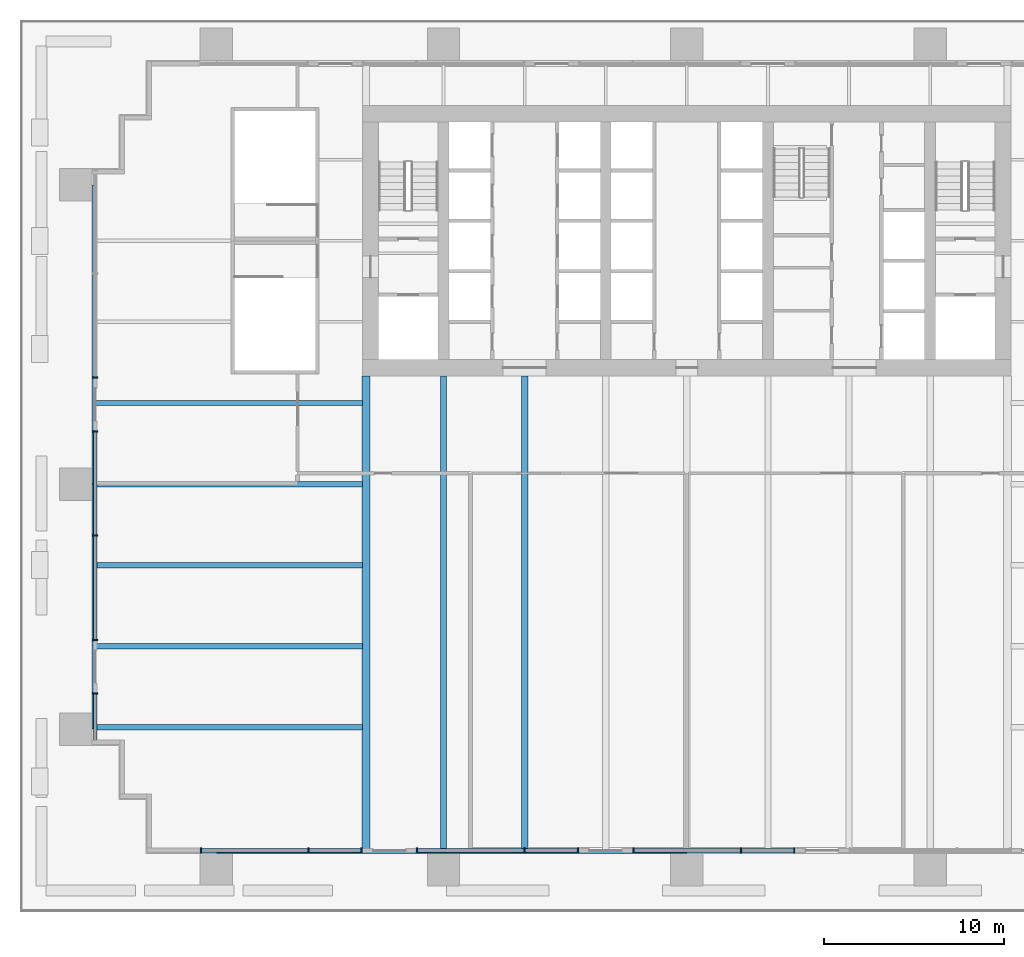
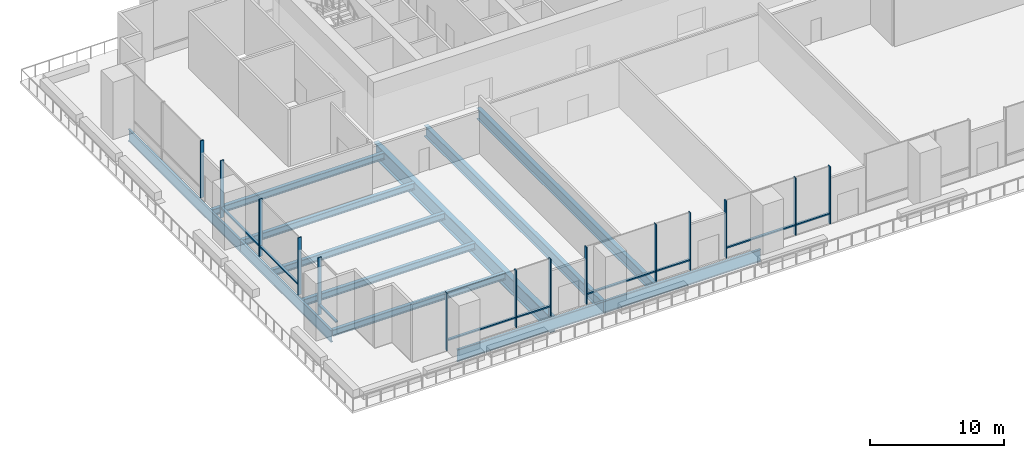
# One storey, part 2 of 16: 23 members, 12 beams, 6 elements without a shape of their own.
"""IFC4 building model written with IfcOpenShell, lengths in metres."""

from ifc_helpers import new_model, si_unit, direction, frame, origin, origin_2d, place, context, subcontext, project, spatial, rectangle, i_section, extrude, material, layer, layer_set, material_profile, profile_set, type_object, element, aggregate, save


model = new_model("IFC4")

# Units and contexts
model_context = context("Model", 3, precision=1e-05, world=origin(), true_north=direction((0.0, 1.0)))
body_context = subcontext(model_context, "Body", "Model", "MODEL_VIEW")
ifc_project = project(units=[si_unit("LENGTHUNIT", "METRE"), si_unit("AREAUNIT", "SQUARE_METRE"), si_unit("VOLUMEUNIT", "CUBIC_METRE"), si_unit("PLANEANGLEUNIT", "RADIAN"), si_unit("MASSUNIT", "GRAM", prefix="KILO")], contexts=[model_context])

# Site, building, storey
site_placement = place(None, origin())
site = spatial("IfcSite", under=ifc_project, at=site_placement, CompositionType="ELEMENT")
building_placement = place(site_placement, origin())
building = spatial("IfcBuilding", under=site, at=building_placement, Name="Rattan Terrace Tower", CompositionType="ELEMENT")
storey_placement = place(building_placement, frame((0.0, 0.0, 27.0)))
storey = spatial("IfcBuildingStorey", under=building, at=storey_placement, Name="L05", CompositionType="ELEMENT", Elevation=27.0)

# Beams
ifc_material_1 = material(Name="Steel S460", Category="steel")
ifc_material_profile_1 = material_profile(ifc_material_1, i_section(OverallWidth=0.449951171875, OverallDepth=1.39990234375, WebThickness=0.02197265625, FlangeThickness=0.054931640625, at=origin_2d()), Name="PG 1400x450-22-55")
ifc_profile_set_1 = profile_set([ifc_material_profile_1], Name="Steel S460")
beam_type_1 = type_object("IfcBeamType", Name="Frame core girder PG 1400x450-22-55", PredefinedType="BEAM", material=ifc_profile_set_1)
beam_1_placement = place(storey_placement, frame((-17.800048828125, -33.820068359375, -0.89990234375), z_axis=(0.0, 1.0, 0.0), x_axis=(-1.0, 0.0, 0.0)))
element("IfcBeam", 1, at=beam_1_placement, inside=storey, type_object=beam_type_1, Name="gdr-L05-013", PredefinedType="BEAM", context=body_context, shape_type="SweptSolid", body=[
    extrude(i_section(OverallWidth=0.449951171875, OverallDepth=1.39990234375, WebThickness=0.02197265625, FlangeThickness=0.054931640625, at=origin_2d()), origin(), (0.0, 0.0, 1.0), 26.320068359375),
])
ifc_material_2 = material(Name="Steel S460", Category="steel")
ifc_material_profile_2 = material_profile(ifc_material_2, i_section(OverallWidth=0.179931640625, OverallDepth=1.10009765625, WebThickness=0.01611328125, FlangeThickness=0.050048828125, at=origin_2d()), Name="PG 1100x180-16-50")
ifc_profile_set_2 = profile_set([ifc_material_profile_2], Name="Steel S460")
beam_type_2 = type_object("IfcBeamType", Name="Frame edge girder PG 1100x180-16-50", PredefinedType="SPANDREL", material=ifc_profile_set_2)
beam_2_placement = place(storey_placement, frame((-26.10009765625, -33.909912109375, -0.75), z_axis=(1.0, 0.0, 0.0), x_axis=(0.0, 1.0, 0.0)))
element("IfcBeam", 2, at=beam_2_placement, inside=storey, type_object=beam_type_2, Name="gdr-L05-001", PredefinedType="SPANDREL", context=body_context, shape_type="SweptSolid", body=[
    extrude(i_section(OverallWidth=0.179931640625, OverallDepth=1.10009765625, WebThickness=0.01611328125, FlangeThickness=0.050048828125, at=origin_2d()), origin(), (0.0, 0.0, 1.0), 12.60009765625),
])
beam_3_placement = place(storey_placement, frame((-13.5, -33.909912109375, -0.75), z_axis=(1.0, 0.0, 0.0), x_axis=(0.0, 1.0, 0.0)))
element("IfcBeam", 3, at=beam_3_placement, inside=storey, type_object=beam_type_2, Name="gdr-L05-002", PredefinedType="SPANDREL", context=body_context, shape_type="SweptSolid", body=[
    extrude(i_section(OverallWidth=0.179931640625, OverallDepth=1.10009765625, WebThickness=0.01611328125, FlangeThickness=0.050048828125, at=origin_2d()), origin(), (0.0, 0.0, 1.0), 13.5),
])
beam_4_placement = place(storey_placement, frame((-32.909912109375, -13.5, -0.75), z_axis=(0.0, -1.0, 0.0), x_axis=(1.0, 0.0, 0.0)))
element("IfcBeam", 4, at=beam_4_placement, inside=storey, type_object=beam_type_2, Name="gdr-L05-006", PredefinedType="SPANDREL", context=body_context, shape_type="SweptSolid", body=[
    extrude(i_section(OverallWidth=0.179931640625, OverallDepth=1.10009765625, WebThickness=0.01611328125, FlangeThickness=0.050048828125, at=origin_2d()), origin(), (0.0, 0.0, 1.0), 13.60009765625),
])
beam_5_placement = place(storey_placement, frame((-32.909912109375, 3.10009765625, -0.75), z_axis=(0.0, -1.0, 0.0), x_axis=(1.0, 0.0, 0.0)))
element("IfcBeam", 5, at=beam_5_placement, inside=storey, type_object=beam_type_2, Name="gdr-L05-008", PredefinedType="SPANDREL", context=body_context, shape_type="SweptSolid", body=[
    extrude(i_section(OverallWidth=0.179931640625, OverallDepth=1.10009765625, WebThickness=0.01611328125, FlangeThickness=0.050048828125, at=origin_2d()), origin(), (0.0, 0.0, 1.0), 16.60009765625),
])
ifc_material_3 = material(Name="Steel S355", Category="steel")
ifc_material_profile_3 = material_profile(ifc_material_3, i_section(OverallWidth=0.300048828125, OverallDepth=0.60009765625, WebThickness=0.015380859375, FlangeThickness=0.030029296875, FilletRadius=0.027099609375, at=origin_2d()), Name="HE 600 B")
ifc_profile_set_3 = profile_set([ifc_material_profile_3], Name="Steel S355")
beam_type_3 = type_object("IfcBeamType", Name="Frame floor beam HE 600 B", PredefinedType="JOIST", material=ifc_profile_set_3)
for number, where, z_axis, x_axis, name in (
    (6, (-32.820068359375, -27.0, -0.5), (1.0, 0.0, 0.0), (0.0, 1.0, 0.0), "bm-L05-010"),
    (7, (-32.820068359375, -22.5, -0.5), (1.0, 0.0, 0.0), (0.0, 1.0, 0.0), "bm-L05-012"),
    (8, (-32.820068359375, -18.0, -0.5), (1.0, 0.0, 0.0), (0.0, 1.0, 0.0), "bm-L05-014"),
    (9, (-32.820068359375, -13.5, -0.5), (1.0, 0.0, 0.0), (0.0, 1.0, 0.0), "bm-L05-016"),
    (10, (-32.820068359375, -9.0, -0.5), (1.0, 0.0, 0.0), (0.0, 1.0, 0.0), "bm-L05-018"),
):
    element("IfcBeam", number, at=place(storey_placement, frame(where, z_axis=z_axis, x_axis=x_axis)), inside=storey, type_object=beam_type_3, Name=name, PredefinedType="JOIST", context=body_context, shape_type="SweptSolid", body=[
        extrude(i_section(OverallWidth=0.300048828125, OverallDepth=0.60009765625, WebThickness=0.015380859375, FlangeThickness=0.030029296875, FilletRadius=0.027099609375, at=origin_2d()), origin(), (0.0, 0.0, 1.0), 14.820068359375),
    ])
ifc_material_4 = material(Name="Steel S460", Category="steel")
ifc_material_profile_4 = material_profile(ifc_material_4, i_section(OverallWidth=0.35009765625, OverallDepth=1.0, WebThickness=0.01611328125, FlangeThickness=0.044921875, at=origin_2d()), Name="PG 1000x350-16-45")
ifc_profile_set_4 = profile_set([ifc_material_profile_4], Name="Steel S460")
beam_type_4 = type_object("IfcBeamType", Name="Frame floor beam PG 1000x350-16-45", PredefinedType="JOIST", material=ifc_profile_set_4)
for number, where, z_axis, x_axis, name in (
    (11, (-13.5, -33.820068359375, -0.699951171875), (0.0, 1.0, 0.0), (-1.0, 0.0, 0.0), "bm-L05-003"),
    (12, (-9.0, -33.820068359375, -0.699951171875), (0.0, 1.0, 0.0), (-1.0, 0.0, 0.0), "bm-L05-004"),
):
    element("IfcBeam", number, at=place(storey_placement, frame(where, z_axis=z_axis, x_axis=x_axis)), inside=storey, type_object=beam_type_4, Name=name, PredefinedType="JOIST", context=body_context, shape_type="SweptSolid", body=[
        extrude(i_section(OverallWidth=0.35009765625, OverallDepth=1.0, WebThickness=0.01611328125, FlangeThickness=0.044921875, at=origin_2d()), origin(), (0.0, 0.0, 1.0), 26.320068359375),
    ])

# Curtain wall, member
ifc_material_5 = material(Name="Steel fins, aluminium and glass", Category="steel")
ifc_layer = layer(ifc_material_5, 0.300048828125)
ifc_layer_set = layer_set([ifc_layer], Name="Sky Lobby Stick Curtain Wall")
curtain_wall_type = type_object("IfcCurtainWallType", Name="Sky Lobby Stick Curtain Wall", PredefinedType="NOTDEFINED", material=ifc_layer_set)
curtain_wall_1_placement = place(storey_placement, origin())
curtain_wall_1 = element("IfcCurtainWall", 13, at=curtain_wall_1_placement, inside=storey, type_object=curtain_wall_type, Name="Sky lobby curtain wall L05-9", PredefinedType="NOTDEFINED")
ifc_material_6 = material(Name="Steel S355", Category="steel")
ifc_material_profile_5 = material_profile(ifc_material_6, rectangle(XDim=0.080078125, YDim=0.300048828125, at=origin_2d()), Name="Steel S355 80x300")
ifc_profile_set_5 = profile_set([ifc_material_profile_5], Name="Steel S355")
member_type_1 = type_object("IfcMemberType", Name="Sky Lobby CW Fin 80x300", PredefinedType="MULLION", material=ifc_profile_set_5)
member_1_placement = place(storey_placement, frame((-32.830078125, -7.595947265625, 0.0), z_axis=(0.0, 0.0, 1.0), x_axis=(0.0, -1.0, 0.0)))
member_1 = element("IfcMember", 14, at=member_1_placement, type_object=member_type_1, Name="Mullion cwl-L05-009.3", PredefinedType="MULLION", context=body_context, shape_type="SweptSolid", body=[
    extrude(rectangle(XDim=0.080078125, YDim=0.300048828125, at=origin_2d()), origin(), (0.0, 0.0, 1.0), 5.199951171875),
])
aggregate(curtain_wall_1, [member_1])

# Curtain wall, members
curtain_wall_2_placement = place(storey_placement, origin())
curtain_wall_2 = element("IfcCurtainWall", 15, at=curtain_wall_2_placement, inside=storey, type_object=curtain_wall_type, Name="Sky lobby curtain wall L05-10", PredefinedType="NOTDEFINED")
member_2_placement = place(storey_placement, frame((-32.830078125, -10.5849609375, 0.0), z_axis=(0.0, 0.0, 1.0), x_axis=(0.0, -1.0, 0.0)))
member_2 = element("IfcMember", 16, at=member_2_placement, type_object=member_type_1, Name="Mullion cwl-L05-010.1", PredefinedType="MULLION", context=body_context, shape_type="SweptSolid", body=[
    extrude(rectangle(XDim=0.080078125, YDim=0.300048828125, at=origin_2d()), origin(), (0.0, 0.0, 1.0), 5.199951171875),
])
member_3_placement = place(storey_placement, frame((-32.830078125, -16.363037109375, 0.0), z_axis=(0.0, 0.0, 1.0), x_axis=(0.0, -1.0, 0.0)))
member_3 = element("IfcMember", 17, at=member_3_placement, type_object=member_type_1, Name="Mullion cwl-L05-010.2", PredefinedType="MULLION", context=body_context, shape_type="SweptSolid", body=[
    extrude(rectangle(XDim=0.080078125, YDim=0.300048828125, at=origin_2d()), origin(), (0.0, 0.0, 1.0), 5.199951171875),
])
member_4_placement = place(storey_placement, frame((-32.830078125, -22.14111328125, 0.0), z_axis=(0.0, 0.0, 1.0), x_axis=(0.0, -1.0, 0.0)))
member_4 = element("IfcMember", 18, at=member_4_placement, type_object=member_type_1, Name="Mullion cwl-L05-010.3", PredefinedType="MULLION", context=body_context, shape_type="SweptSolid", body=[
    extrude(rectangle(XDim=0.080078125, YDim=0.300048828125, at=origin_2d()), origin(), (0.0, 0.0, 1.0), 5.199951171875),
])

# Curtain wall, member
curtain_wall_3_placement = place(storey_placement, origin())
curtain_wall_3 = element("IfcCurtainWall", 19, at=curtain_wall_3_placement, inside=storey, type_object=curtain_wall_type, Name="Sky lobby curtain wall L05-11", PredefinedType="NOTDEFINED")
member_5_placement = place(storey_placement, frame((-32.830078125, -25.1298828125, 0.0), z_axis=(0.0, 0.0, 1.0), x_axis=(0.0, -1.0, 0.0)))
member_5 = element("IfcMember", 20, at=member_5_placement, type_object=member_type_1, Name="Mullion cwl-L05-011.1", PredefinedType="MULLION", context=body_context, shape_type="SweptSolid", body=[
    extrude(rectangle(XDim=0.080078125, YDim=0.300048828125, at=origin_2d()), origin(), (0.0, 0.0, 1.0), 5.199951171875),
])

# Curtain wall, members
curtain_wall_4_placement = place(storey_placement, origin())
curtain_wall_4 = element("IfcCurtainWall", 21, at=curtain_wall_4_placement, inside=storey, type_object=curtain_wall_type, Name="Sky lobby curtain wall L05-12", PredefinedType="NOTDEFINED")
member_6_placement = place(storey_placement, frame((-26.9599609375, -33.830078125, 0.0), z_axis=(0.0, 0.0, 1.0), x_axis=(1.0, 0.0, 0.0)))
member_6 = element("IfcMember", 22, at=member_6_placement, type_object=member_type_1, Name="Mullion cwl-L05-012.1", PredefinedType="MULLION", context=body_context, shape_type="SweptSolid", body=[
    extrude(rectangle(XDim=0.080078125, YDim=0.300048828125, at=origin_2d()), origin(), (0.0, 0.0, 1.0), 5.199951171875),
])
member_7_placement = place(storey_placement, frame((-21.0, -33.830078125, 0.0), z_axis=(0.0, 0.0, 1.0), x_axis=(1.0, 0.0, 0.0)))
member_7 = element("IfcMember", 23, at=member_7_placement, type_object=member_type_1, Name="Mullion cwl-L05-012.2", PredefinedType="MULLION", context=body_context, shape_type="SweptSolid", body=[
    extrude(rectangle(XDim=0.080078125, YDim=0.300048828125, at=origin_2d()), origin(), (0.0, 0.0, 1.0), 5.199951171875),
])
member_8_placement = place(storey_placement, frame((-18.0400390625, -33.830078125, 0.0), z_axis=(0.0, 0.0, 1.0), x_axis=(1.0, 0.0, 0.0)))
member_8 = element("IfcMember", 24, at=member_8_placement, type_object=member_type_1, Name="Mullion cwl-L05-012.3", PredefinedType="MULLION", context=body_context, shape_type="SweptSolid", body=[
    extrude(rectangle(XDim=0.080078125, YDim=0.300048828125, at=origin_2d()), origin(), (0.0, 0.0, 1.0), 5.199951171875),
])

curtain_wall_5_placement = place(storey_placement, origin())
curtain_wall_5 = element("IfcCurtainWall", 25, at=curtain_wall_5_placement, inside=storey, type_object=curtain_wall_type, Name="Sky lobby curtain wall L05-13", PredefinedType="NOTDEFINED")
member_9_placement = place(storey_placement, frame((-14.9599609375, -33.830078125, 0.0), z_axis=(0.0, 0.0, 1.0), x_axis=(1.0, 0.0, 0.0)))
member_9 = element("IfcMember", 26, at=member_9_placement, type_object=member_type_1, Name="Mullion cwl-L05-013.1", PredefinedType="MULLION", context=body_context, shape_type="SweptSolid", body=[
    extrude(rectangle(XDim=0.080078125, YDim=0.300048828125, at=origin_2d()), origin(), (0.0, 0.0, 1.0), 5.199951171875),
])
member_10_placement = place(storey_placement, frame((-9.0, -33.830078125, 0.0), z_axis=(0.0, 0.0, 1.0), x_axis=(1.0, 0.0, 0.0)))
member_10 = element("IfcMember", 27, at=member_10_placement, type_object=member_type_1, Name="Mullion cwl-L05-013.2", PredefinedType="MULLION", context=body_context, shape_type="SweptSolid", body=[
    extrude(rectangle(XDim=0.080078125, YDim=0.300048828125, at=origin_2d()), origin(), (0.0, 0.0, 1.0), 5.199951171875),
])
member_11_placement = place(storey_placement, frame((-6.0400390625, -33.830078125, 0.0), z_axis=(0.0, 0.0, 1.0), x_axis=(1.0, 0.0, 0.0)))
member_11 = element("IfcMember", 28, at=member_11_placement, type_object=member_type_1, Name="Mullion cwl-L05-013.3", PredefinedType="MULLION", context=body_context, shape_type="SweptSolid", body=[
    extrude(rectangle(XDim=0.080078125, YDim=0.300048828125, at=origin_2d()), origin(), (0.0, 0.0, 1.0), 5.199951171875),
])

curtain_wall_6_placement = place(storey_placement, origin())
curtain_wall_6 = element("IfcCurtainWall", 29, at=curtain_wall_6_placement, inside=storey, type_object=curtain_wall_type, Name="Sky lobby curtain wall L05-14", PredefinedType="NOTDEFINED")
member_12_placement = place(storey_placement, frame((-2.9599609375, -33.830078125, 0.0), z_axis=(0.0, 0.0, 1.0), x_axis=(1.0, 0.0, 0.0)))
member_12 = element("IfcMember", 30, at=member_12_placement, type_object=member_type_1, Name="Mullion cwl-L05-014.1", PredefinedType="MULLION", context=body_context, shape_type="SweptSolid", body=[
    extrude(rectangle(XDim=0.080078125, YDim=0.300048828125, at=origin_2d()), origin(), (0.0, 0.0, 1.0), 5.199951171875),
])
member_13_placement = place(storey_placement, frame((3.0, -33.830078125, 0.0), z_axis=(0.0, 0.0, 1.0), x_axis=(1.0, 0.0, 0.0)))
member_13 = element("IfcMember", 31, at=member_13_placement, type_object=member_type_1, Name="Mullion cwl-L05-014.2", PredefinedType="MULLION", context=body_context, shape_type="SweptSolid", body=[
    extrude(rectangle(XDim=0.080078125, YDim=0.300048828125, at=origin_2d()), origin(), (0.0, 0.0, 1.0), 5.199951171875),
])
member_14_placement = place(storey_placement, frame((5.9599609375, -33.830078125, 0.0), z_axis=(0.0, 0.0, 1.0), x_axis=(1.0, 0.0, 0.0)))
member_14 = element("IfcMember", 32, at=member_14_placement, type_object=member_type_1, Name="Mullion cwl-L05-014.3", PredefinedType="MULLION", context=body_context, shape_type="SweptSolid", body=[
    extrude(rectangle(XDim=0.080078125, YDim=0.300048828125, at=origin_2d()), origin(), (0.0, 0.0, 1.0), 5.199951171875),
])

# Member
ifc_material_7 = material(Name="Aluminium", Category="aluminium")
ifc_material_profile_6 = material_profile(ifc_material_7, rectangle(XDim=0.199951171875, YDim=0.1201171875, at=origin_2d()), Name="Aluminium 200x120")
ifc_profile_set_6 = profile_set([ifc_material_profile_6], Name="Aluminium")
member_type_2 = type_object("IfcMemberType", Name="Sky Lobby CW Transom 200x120", PredefinedType="USERDEFINED", material=ifc_profile_set_6)
member_15_placement = place(storey_placement, frame((-32.830078125, -10.625, 0.89990234375), z_axis=(0.0, -1.0, 0.0), x_axis=(1.0, 0.0, 0.0)))
member_15 = element("IfcMember", 33, at=member_15_placement, type_object=member_type_2, Name="Transom cwl-L05-010.1", ObjectType="TRANSOM", PredefinedType="USERDEFINED", context=body_context, shape_type="SweptSolid", body=[
    extrude(rectangle(XDim=0.199951171875, YDim=0.1201171875, at=origin_2d()), origin(), (0.0, 0.0, 1.0), 5.697998046875),
])

member_16_placement = place(storey_placement, frame((-32.830078125, -16.403076171875, 0.89990234375), z_axis=(0.0, -1.0, 0.0), x_axis=(1.0, 0.0, 0.0)))
member_16 = element("IfcMember", 34, at=member_16_placement, type_object=member_type_2, Name="Transom cwl-L05-010.2", ObjectType="TRANSOM", PredefinedType="USERDEFINED", context=body_context, shape_type="SweptSolid", body=[
    extrude(rectangle(XDim=0.199951171875, YDim=0.1201171875, at=origin_2d()), origin(), (0.0, 0.0, 1.0), 5.697998046875),
])

aggregate(curtain_wall_2, [member_2, member_3, member_4, member_15, member_16])

member_17_placement = place(storey_placement, frame((-32.830078125, -25.169921875, 0.89990234375), z_axis=(0.0, -1.0, 0.0), x_axis=(1.0, 0.0, 0.0)))
member_17 = element("IfcMember", 35, at=member_17_placement, type_object=member_type_2, Name="Transom cwl-L05-011.1", ObjectType="TRANSOM", PredefinedType="USERDEFINED", context=body_context, shape_type="SweptSolid", body=[
    extrude(rectangle(XDim=0.199951171875, YDim=0.1201171875, at=origin_2d()), origin(), (0.0, 0.0, 1.0), 2.53515625),
])

aggregate(curtain_wall_3, [member_5, member_17])

member_18_placement = place(storey_placement, frame((-26.919921875, -33.830078125, 0.89990234375), z_axis=(1.0, 0.0, 0.0), x_axis=(0.0, 1.0, 0.0)))
member_18 = element("IfcMember", 36, at=member_18_placement, type_object=member_type_2, Name="Transom cwl-L05-012.1", ObjectType="TRANSOM", PredefinedType="USERDEFINED", context=body_context, shape_type="SweptSolid", body=[
    extrude(rectangle(XDim=0.199951171875, YDim=0.1201171875, at=origin_2d()), origin(), (0.0, 0.0, 1.0), 5.8798828125),
])

member_19_placement = place(storey_placement, frame((-20.9599609375, -33.830078125, 0.89990234375), z_axis=(1.0, 0.0, 0.0), x_axis=(0.0, 1.0, 0.0)))
member_19 = element("IfcMember", 37, at=member_19_placement, type_object=member_type_2, Name="Transom cwl-L05-012.2", ObjectType="TRANSOM", PredefinedType="USERDEFINED", context=body_context, shape_type="SweptSolid", body=[
    extrude(rectangle(XDim=0.199951171875, YDim=0.1201171875, at=origin_2d()), origin(), (0.0, 0.0, 1.0), 2.8798828125),
])

aggregate(curtain_wall_4, [member_6, member_7, member_8, member_18, member_19])

member_20_placement = place(storey_placement, frame((-14.919921875, -33.830078125, 0.89990234375), z_axis=(1.0, 0.0, 0.0), x_axis=(0.0, 1.0, 0.0)))
member_20 = element("IfcMember", 38, at=member_20_placement, type_object=member_type_2, Name="Transom cwl-L05-013.1", ObjectType="TRANSOM", PredefinedType="USERDEFINED", context=body_context, shape_type="SweptSolid", body=[
    extrude(rectangle(XDim=0.199951171875, YDim=0.1201171875, at=origin_2d()), origin(), (0.0, 0.0, 1.0), 5.8798828125),
])

member_21_placement = place(storey_placement, frame((-8.9599609375, -33.830078125, 0.89990234375), z_axis=(1.0, 0.0, 0.0), x_axis=(0.0, 1.0, 0.0)))
member_21 = element("IfcMember", 39, at=member_21_placement, type_object=member_type_2, Name="Transom cwl-L05-013.2", ObjectType="TRANSOM", PredefinedType="USERDEFINED", context=body_context, shape_type="SweptSolid", body=[
    extrude(rectangle(XDim=0.199951171875, YDim=0.1201171875, at=origin_2d()), origin(), (0.0, 0.0, 1.0), 2.8798828125),
])

aggregate(curtain_wall_5, [member_9, member_10, member_11, member_20, member_21])

member_22_placement = place(storey_placement, frame((-2.919921875, -33.830078125, 0.89990234375), z_axis=(1.0, 0.0, 0.0), x_axis=(0.0, 1.0, 0.0)))
member_22 = element("IfcMember", 40, at=member_22_placement, type_object=member_type_2, Name="Transom cwl-L05-014.1", ObjectType="TRANSOM", PredefinedType="USERDEFINED", context=body_context, shape_type="SweptSolid", body=[
    extrude(rectangle(XDim=0.199951171875, YDim=0.1201171875, at=origin_2d()), origin(), (0.0, 0.0, 1.0), 5.8798828125),
])

member_23_placement = place(storey_placement, frame((3.0400390625, -33.830078125, 0.89990234375), z_axis=(1.0, 0.0, 0.0), x_axis=(0.0, 1.0, 0.0)))
member_23 = element("IfcMember", 41, at=member_23_placement, type_object=member_type_2, Name="Transom cwl-L05-014.2", ObjectType="TRANSOM", PredefinedType="USERDEFINED", context=body_context, shape_type="SweptSolid", body=[
    extrude(rectangle(XDim=0.199951171875, YDim=0.1201171875, at=origin_2d()), origin(), (0.0, 0.0, 1.0), 2.8798828125),
])

aggregate(curtain_wall_6, [member_12, member_13, member_14, member_22, member_23])

save(model, "model.ifc")
